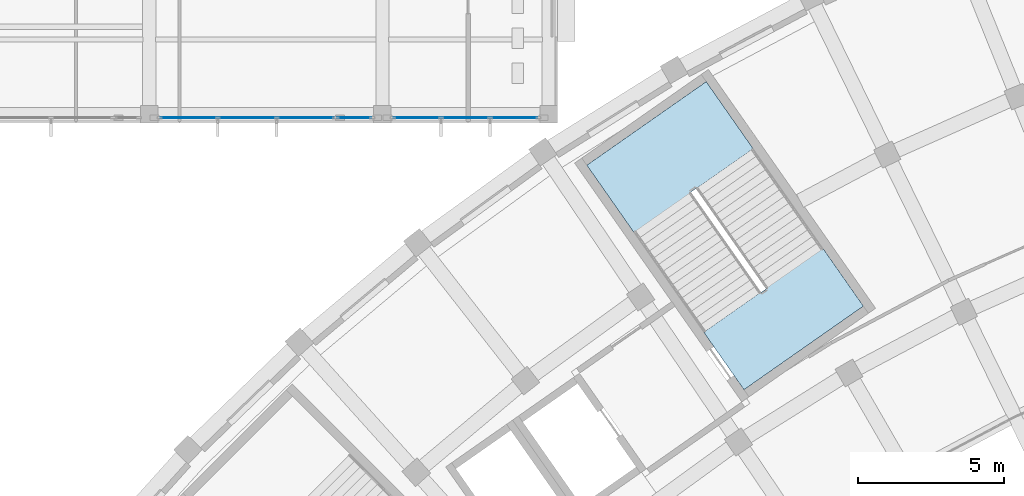
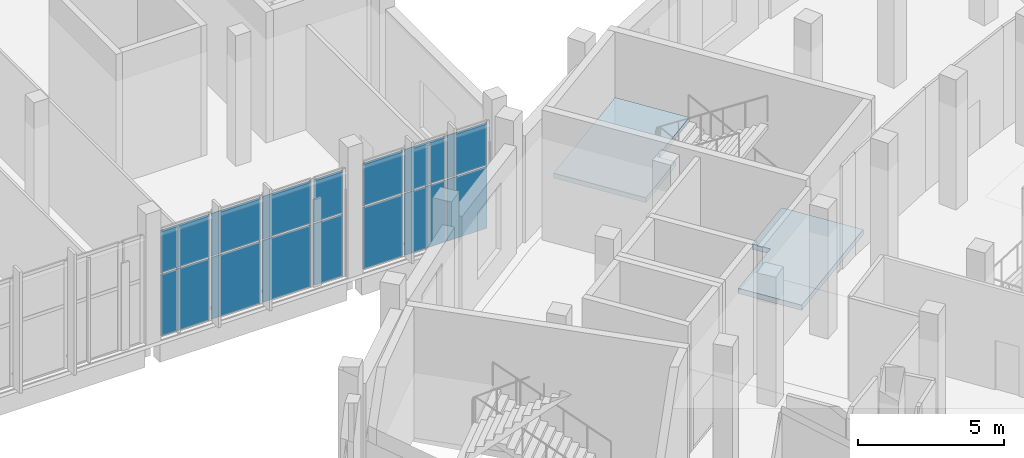
# One storey, part 41 of 112: 14 plates, 2 slabs, 4 elements without a shape of their own.
"""IFC4 building model written with IfcOpenShell, lengths in metres."""

from ifc_helpers import new_model, si_unit, direction, frame, origin, origin_2d, place, context, subcontext, project, spatial, polyline, rectangle, outline, extrude, material, layer, layer_set, type_object, element, aggregate, save


model = new_model("IFC4")

# Units and contexts
model_context = context("Model", 3, precision=1e-05, world=origin(), true_north=direction((0.0, 1.0)))
body_context = subcontext(model_context, "Body", "Model", "MODEL_VIEW")
ifc_project = project(units=[si_unit("LENGTHUNIT", "METRE"), si_unit("AREAUNIT", "SQUARE_METRE"), si_unit("VOLUMEUNIT", "CUBIC_METRE"), si_unit("PLANEANGLEUNIT", "RADIAN"), si_unit("MASSUNIT", "GRAM", prefix="KILO")], contexts=[model_context])

# Site, building, storey
site_placement = place(None, origin())
site = spatial("IfcSite", under=ifc_project, at=site_placement, CompositionType="ELEMENT")
building_placement = place(site_placement, origin())
building = spatial("IfcBuilding", under=site, at=building_placement, Name="Lunette Opera House", CompositionType="ELEMENT")
storey_placement = place(building_placement, frame((0.0, 0.0, 6.0)))
storey = spatial("IfcBuildingStorey", under=building, at=storey_placement, Name="L01", CompositionType="ELEMENT", Elevation=6.0)

# Slab
ifc_material_1 = material(Name="Concrete C35/45", Category="concrete")
ifc_layer_1 = layer(ifc_material_1, 0.219970703125)
ifc_layer_set_1 = layer_set([ifc_layer_1], Name="Concrete C35/45")
slab_type_1 = type_object("IfcSlabType", Name="CORE LANDING SLAB 220", PredefinedType="LANDING", material=ifc_layer_set_1)
slab_1_placement = place(storey_placement, frame((0.0, 0.0, -0.219970703125)))
element("IfcSlab", 1, at=slab_1_placement, inside=storey, type_object=slab_type_1, Name="ST2 floor landing", PredefinedType="LANDING", context=body_context, shape_type="SweptSolid", body=[
    extrude(outline(polyline([(60.39990234375, 54.85107421875), (59.01806640625, 56.824951171875), (60.98388671875, 58.200927734375), (60.989990234375, 58.193115234375), (61.154052734375, 58.30810546875), (60.7529296875, 58.882080078125), (62.718994140625, 60.258056640625), (64.4970703125, 57.718994140625), (60.39990234375, 54.85107421875)])), origin(), (0.0, 0.0, 1.0), 0.219970703125),
])

# Curtain wall, plates
ifc_material_2 = material(Name="Aluminium", Category="aluminium")
ifc_layer_2 = layer(ifc_material_2, 0.179931640625)
ifc_layer_set_2 = layer_set([ifc_layer_2], Name="Aluminium")
curtain_wall_type = type_object("IfcCurtainWallType", Name="SUN FACE CURTAIN WALL", PredefinedType="NOTDEFINED", material=ifc_layer_set_2)
curtain_wall_1_placement = place(storey_placement, origin())
curtain_wall_1 = element("IfcCurtainWall", 2, at=curtain_wall_1_placement, inside=storey, type_object=curtain_wall_type, Name="Sun Face Curtain Wall F23-2 L01", PredefinedType="NOTDEFINED")
ifc_material_3 = material(Name="Laminated glass", Category="glass")
ifc_layer_3 = layer(ifc_material_3, 0.028076171875)
ifc_layer_set_3 = layer_set([ifc_layer_3], Name="Laminated glass")
plate_type = type_object("IfcPlateType", Name="CURTAIN PANEL LAMINATED GLASS 28", PredefinedType="CURTAIN_PANEL", material=ifc_layer_set_3)
plate_1_placement = place(storey_placement, frame((41.355712890625, 64.18310546875, 0.06005859375), z_axis=(0.0, 0.0, 1.0), x_axis=(1.0, 0.0, 0.0)))
plate_1 = element("IfcPlate", 3, at=plate_1_placement, type_object=plate_type, Name="RW-X2026 panel 1.1", PredefinedType="CURTAIN_PANEL", context=body_context, shape_type="SweptSolid", body=[
    extrude(rectangle(XDim=1.931396484375, YDim=0.028076171875, at=origin_2d()), origin(), (0.0, 0.0, 1.0), 2.5849609375),
])
plate_2_placement = place(storey_placement, frame((41.355712890625, 64.18310546875, 2.705078125), z_axis=(0.0, 0.0, 1.0), x_axis=(1.0, 0.0, 0.0)))
plate_2 = element("IfcPlate", 4, at=plate_2_placement, type_object=plate_type, Name="RW-X2026 panel 1.2", PredefinedType="CURTAIN_PANEL", context=body_context, shape_type="SweptSolid", body=[
    extrude(rectangle(XDim=1.931396484375, YDim=0.028076171875, at=origin_2d()), origin(), (0.0, 0.0, 1.0), 1.784912109375),
])
plate_3_placement = place(storey_placement, frame((43.362060546875, 64.18310546875, 0.06005859375), z_axis=(0.0, 0.0, 1.0), x_axis=(1.0, 0.0, 0.0)))
plate_3 = element("IfcPlate", 5, at=plate_3_placement, type_object=plate_type, Name="RW-X2026 panel 2.1", PredefinedType="CURTAIN_PANEL", context=body_context, shape_type="SweptSolid", body=[
    extrude(rectangle(XDim=1.96142578125, YDim=0.028076171875, at=origin_2d()), origin(), (0.0, 0.0, 1.0), 2.5849609375),
])
plate_4_placement = place(storey_placement, frame((43.362060546875, 64.18310546875, 2.705078125), z_axis=(0.0, 0.0, 1.0), x_axis=(1.0, 0.0, 0.0)))
plate_4 = element("IfcPlate", 6, at=plate_4_placement, type_object=plate_type, Name="RW-X2026 panel 2.2", PredefinedType="CURTAIN_PANEL", context=body_context, shape_type="SweptSolid", body=[
    extrude(rectangle(XDim=1.96142578125, YDim=0.028076171875, at=origin_2d()), origin(), (0.0, 0.0, 1.0), 1.784912109375),
])
plate_5_placement = place(storey_placement, frame((45.368408203125, 64.18310546875, 0.06005859375), z_axis=(0.0, 0.0, 1.0), x_axis=(1.0, 0.0, 0.0)))
plate_5 = element("IfcPlate", 7, at=plate_5_placement, type_object=plate_type, Name="RW-X2026 panel 3.1", PredefinedType="CURTAIN_PANEL", context=body_context, shape_type="SweptSolid", body=[
    extrude(rectangle(XDim=1.931396484375, YDim=0.028076171875, at=origin_2d()), origin(), (0.0, 0.0, 1.0), 2.5849609375),
])
plate_6_placement = place(storey_placement, frame((45.368408203125, 64.18310546875, 2.705078125), z_axis=(0.0, 0.0, 1.0), x_axis=(1.0, 0.0, 0.0)))
plate_6 = element("IfcPlate", 8, at=plate_6_placement, type_object=plate_type, Name="RW-X2026 panel 3.2", PredefinedType="CURTAIN_PANEL", context=body_context, shape_type="SweptSolid", body=[
    extrude(rectangle(XDim=1.931396484375, YDim=0.028076171875, at=origin_2d()), origin(), (0.0, 0.0, 1.0), 1.784912109375),
])
aggregate(curtain_wall_1, [plate_1, plate_2, plate_3, plate_4, plate_5, plate_6])

curtain_wall_2_placement = place(storey_placement, origin())
curtain_wall_2 = element("IfcCurtainWall", 9, at=curtain_wall_2_placement, inside=storey, type_object=curtain_wall_type, Name="Sun Face Curtain Wall F24-1 L01", PredefinedType="NOTDEFINED")
plate_7_placement = place(storey_placement, frame((47.031982421875, 64.18310546875, 0.06005859375), z_axis=(0.0, 0.0, 1.0), x_axis=(1.0, 0.0, 0.0)))
plate_7 = element("IfcPlate", 10, at=plate_7_placement, type_object=plate_type, Name="RW-X2027 panel 1.1", PredefinedType="CURTAIN_PANEL", context=body_context, shape_type="SweptSolid", body=[
    extrude(rectangle(XDim=1.156005859375, YDim=0.028076171875, at=origin_2d()), origin(), (0.0, 0.0, 1.0), 2.5849609375),
])
plate_8_placement = place(storey_placement, frame((47.031982421875, 64.18310546875, 2.705078125), z_axis=(0.0, 0.0, 1.0), x_axis=(1.0, 0.0, 0.0)))
plate_8 = element("IfcPlate", 11, at=plate_8_placement, type_object=plate_type, Name="RW-X2027 panel 1.2", PredefinedType="CURTAIN_PANEL", context=body_context, shape_type="SweptSolid", body=[
    extrude(rectangle(XDim=1.156005859375, YDim=0.028076171875, at=origin_2d()), origin(), (0.0, 0.0, 1.0), 1.784912109375),
])
aggregate(curtain_wall_2, [plate_7, plate_8])

curtain_wall_3_placement = place(storey_placement, origin())
curtain_wall_3 = element("IfcCurtainWall", 12, at=curtain_wall_3_placement, inside=storey, type_object=curtain_wall_type, Name="Sun Face Curtain Wall F24-2 L01", PredefinedType="NOTDEFINED")
plate_9_placement = place(storey_placement, frame((49.18505859375, 64.18310546875, 0.06005859375), z_axis=(0.0, 0.0, 1.0), x_axis=(1.0, 0.0, 0.0)))
plate_9 = element("IfcPlate", 13, at=plate_9_placement, type_object=plate_type, Name="RW-X2028 panel 1.1", PredefinedType="CURTAIN_PANEL", context=body_context, shape_type="SweptSolid", body=[
    extrude(rectangle(XDim=1.590087890625, YDim=0.028076171875, at=origin_2d()), origin(), (0.0, 0.0, 1.0), 2.5849609375),
])
plate_10_placement = place(storey_placement, frame((49.18505859375, 64.18310546875, 2.705078125), z_axis=(0.0, 0.0, 1.0), x_axis=(1.0, 0.0, 0.0)))
plate_10 = element("IfcPlate", 14, at=plate_10_placement, type_object=plate_type, Name="RW-X2028 panel 1.2", PredefinedType="CURTAIN_PANEL", context=body_context, shape_type="SweptSolid", body=[
    extrude(rectangle(XDim=1.590087890625, YDim=0.028076171875, at=origin_2d()), origin(), (0.0, 0.0, 1.0), 1.784912109375),
])
plate_11_placement = place(storey_placement, frame((50.85009765625, 64.18310546875, 0.06005859375), z_axis=(0.0, 0.0, 1.0), x_axis=(1.0, 0.0, 0.0)))
plate_11 = element("IfcPlate", 15, at=plate_11_placement, type_object=plate_type, Name="RW-X2028 panel 2.1", PredefinedType="CURTAIN_PANEL", context=body_context, shape_type="SweptSolid", body=[
    extrude(rectangle(XDim=1.6201171875, YDim=0.028076171875, at=origin_2d()), origin(), (0.0, 0.0, 1.0), 2.5849609375),
])
plate_12_placement = place(storey_placement, frame((50.85009765625, 64.18310546875, 2.705078125), z_axis=(0.0, 0.0, 1.0), x_axis=(1.0, 0.0, 0.0)))
plate_12 = element("IfcPlate", 16, at=plate_12_placement, type_object=plate_type, Name="RW-X2028 panel 2.2", PredefinedType="CURTAIN_PANEL", context=body_context, shape_type="SweptSolid", body=[
    extrude(rectangle(XDim=1.6201171875, YDim=0.028076171875, at=origin_2d()), origin(), (0.0, 0.0, 1.0), 1.784912109375),
])
plate_13_placement = place(storey_placement, frame((52.514892578125, 64.18310546875, 0.06005859375), z_axis=(0.0, 0.0, 1.0), x_axis=(1.0, 0.0, 0.0)))
plate_13 = element("IfcPlate", 17, at=plate_13_placement, type_object=plate_type, Name="RW-X2028 panel 3.1", PredefinedType="CURTAIN_PANEL", context=body_context, shape_type="SweptSolid", body=[
    extrude(rectangle(XDim=1.590087890625, YDim=0.028076171875, at=origin_2d()), origin(), (0.0, 0.0, 1.0), 2.5849609375),
])
plate_14_placement = place(storey_placement, frame((52.514892578125, 64.18310546875, 2.705078125), z_axis=(0.0, 0.0, 1.0), x_axis=(1.0, 0.0, 0.0)))
plate_14 = element("IfcPlate", 18, at=plate_14_placement, type_object=plate_type, Name="RW-X2028 panel 3.2", PredefinedType="CURTAIN_PANEL", context=body_context, shape_type="SweptSolid", body=[
    extrude(rectangle(XDim=1.590087890625, YDim=0.028076171875, at=origin_2d()), origin(), (0.0, 0.0, 1.0), 1.784912109375),
])
aggregate(curtain_wall_3, [plate_9, plate_10, plate_11, plate_12, plate_13, plate_14])

# Stair, slab
ifc_material_4 = material(Name="Concrete C35/45", Category="concrete")
stair_type = type_object("IfcStairType", Name="DOGLEG STAIR 2400", PredefinedType="HALF_TURN_STAIR", material=ifc_material_4)
stair_placement = place(storey_placement, origin())
stair = element("IfcStair", 19, at=stair_placement, inside=storey, type_object=stair_type, Name="L01 stair ST2", PredefinedType="HALF_TURN_STAIR")
ifc_material_5 = material(Name="Concrete C35/45", Category="concrete")
ifc_layer_4 = layer(ifc_material_5, 0.199951171875)
ifc_layer_set_4 = layer_set([ifc_layer_4], Name="Concrete C35/45")
slab_type_2 = type_object("IfcSlabType", Name="STAIR LANDING SLAB 200", PredefinedType="LANDING", material=ifc_layer_set_4)
slab_2_placement = place(storey_placement, frame((0.0, 0.0, 2.550048828125)))
slab_2 = element("IfcSlab", 20, at=slab_2_placement, type_object=slab_type_2, Name="ST2 landing 1", PredefinedType="LANDING", context=body_context, shape_type="SweptSolid", body=[
    extrude(outline(polyline([(59.10498046875, 65.4189453125), (60.717041015625, 63.116943359375), (58.7509765625, 61.740966796875), (58.7451171875, 61.7490234375), (58.5810546875, 61.634033203125), (58.98193359375, 61.06005859375), (57.01611328125, 59.68408203125), (55.009033203125, 62.552001953125), (59.10498046875, 65.4189453125)])), origin(), (0.0, 0.0, 1.0), 0.199951171875),
])
aggregate(stair, [slab_2])

save(model, "model.ifc")
